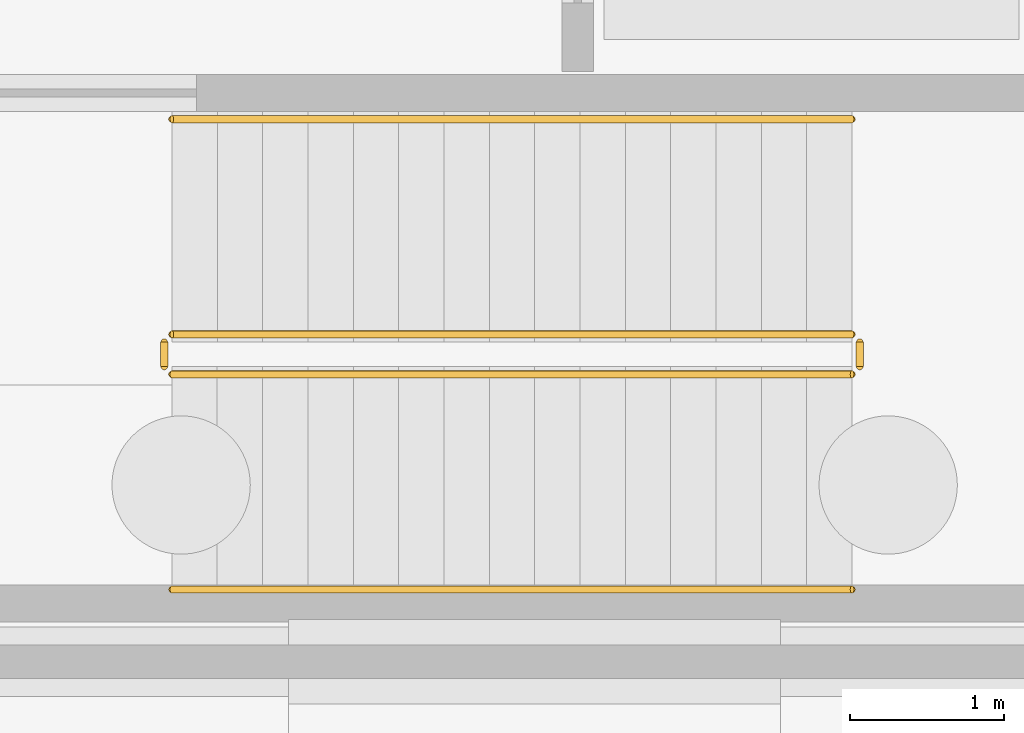
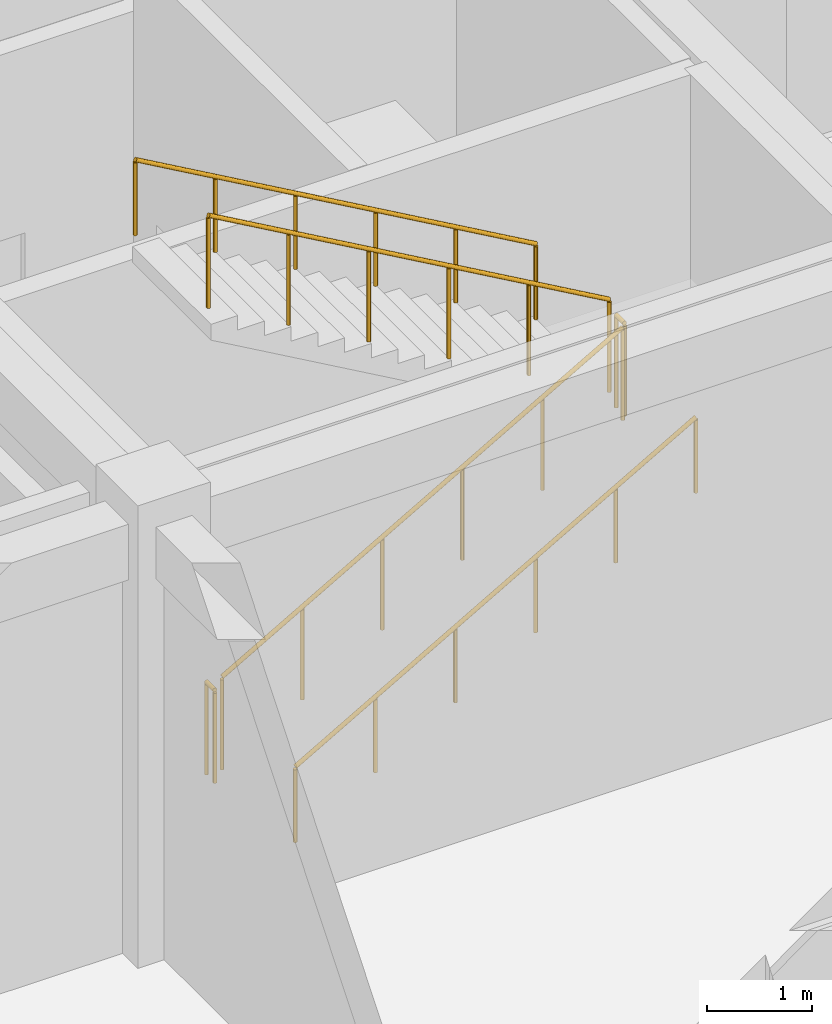
# One storey, part 54 of 65: 6 railings.
"""IFC4 building model written with IfcOpenShell, lengths in metres."""

from ifc_helpers import new_model, si_unit, direction, frame, origin, origin_2d, place, context, subcontext, project, spatial, circle, extrude, material, type_object, element, save


model = new_model("IFC4")

# Units and contexts
model_context = context("Model", 3, precision=1e-05, world=origin(), true_north=direction((0.0, 1.0)))
body_context = subcontext(model_context, "Body", "Model", "MODEL_VIEW")
ifc_project = project(units=[si_unit("LENGTHUNIT", "METRE"), si_unit("AREAUNIT", "SQUARE_METRE"), si_unit("VOLUMEUNIT", "CUBIC_METRE"), si_unit("PLANEANGLEUNIT", "RADIAN"), si_unit("MASSUNIT", "GRAM", prefix="KILO")], contexts=[model_context])

# Site, building, storey
site_placement = place(None, origin())
site = spatial("IfcSite", under=ifc_project, at=site_placement, CompositionType="ELEMENT")
building_placement = place(site_placement, origin())
building = spatial("IfcBuilding", under=site, at=building_placement, Name="Bramfleet General Hospital", CompositionType="ELEMENT")
storey_placement = place(building_placement, frame((0.0, 0.0, -5.39990234375)))
storey = spatial("IfcBuildingStorey", under=building, at=storey_placement, Name="B1", CompositionType="ELEMENT", Elevation=-5.39990234375)

# Railings
ifc_material_1 = material(Name="Powder-coated steel stair balustrade", Category="steel")
railing_type_1 = type_object("IfcRailingType", Name="RAIL-ST-GUARD", PredefinedType="GUARDRAIL", material=ifc_material_1)
railing_1_placement = place(storey_placement, frame((18.639892578125, 52.27001953125, 0.168701171875)))
element("IfcRailing", 1, at=railing_1_placement, inside=storey, type_object=railing_type_1, Name="B1 ST-C2 stair guard 1", PredefinedType="GUARDRAIL", context=body_context, shape_type="SweptSolid", body=[
    extrude(circle(Radius=0.02392578125, at=origin_2d()), frame((0.0, 0.0, 1.076171875), z_axis=(0.868019072493, 0.0, 0.49653085482), x_axis=(0.0, 1.0, 0.0)), (0.0, 0.0, 1.0), 5.097900390625),
    extrude(circle(Radius=0.02099609375, at=origin_2d()), origin(), (0.0, 0.0, 1.0), 1.052001953125),
    extrude(circle(Radius=0.02099609375, at=origin_2d()), frame((0.885009765625, 0.0, 0.50634765625)), (0.0, 0.0, 1.0), 1.052001953125),
    extrude(circle(Radius=0.02099609375, at=origin_2d()), frame((1.77001953125, 0.0, 1.012451171875)), (0.0, 0.0, 1.0), 1.052001953125),
    extrude(circle(Radius=0.02099609375, at=origin_2d()), frame((2.655029296875, 0.0, 1.518798828125)), (0.0, 0.0, 1.0), 1.052001953125),
    extrude(circle(Radius=0.02099609375, at=origin_2d()), frame((3.5400390625, 0.0, 2.02490234375)), (0.0, 0.0, 1.0), 1.052001953125),
    extrude(circle(Radius=0.02099609375, at=origin_2d()), frame((4.425048828125, 0.0, 2.53125)), (0.0, 0.0, 1.0), 1.052001953125),
])
railing_2_placement = place(storey_placement, frame((23.114990234375, 52.320068359375, 2.699951171875)))
element("IfcRailing", 2, at=railing_2_placement, inside=storey, type_object=railing_type_1, Name="B1 ST-C2 stair guard 2", PredefinedType="GUARDRAIL", context=body_context, shape_type="SweptSolid", body=[
    extrude(circle(Radius=0.02392578125, at=origin_2d()), frame((0.0, 0.0, 1.076171875), z_axis=(0.0, 1.0, 0.0), x_axis=(-1.0, 0.0, 0.0)), (0.0, 0.0, 1.0), 0.159912109375),
    extrude(circle(Radius=0.02099609375, at=origin_2d()), origin(), (0.0, 0.0, 1.0), 1.052001953125),
    extrude(circle(Radius=0.02099609375, at=origin_2d()), frame((0.0, 0.159912109375, 0.0)), (0.0, 0.0, 1.0), 1.052001953125),
])
railing_3_placement = place(storey_placement, frame((23.06494140625, 52.530029296875, 2.86865234375)))
element("IfcRailing", 3, at=railing_3_placement, inside=storey, type_object=railing_type_1, Name="B1 ST-C2 stair guard 3", PredefinedType="GUARDRAIL", context=body_context, shape_type="SweptSolid", body=[
    extrude(circle(Radius=0.02392578125, at=origin_2d()), frame((0.0, 0.0, 1.076171875), z_axis=(-0.868019072493, 0.0, 0.49653085482), x_axis=(0.0, -1.0, 0.0)), (0.0, 0.0, 1.0), 5.097900390625),
    extrude(circle(Radius=0.02099609375, at=origin_2d()), origin(), (0.0, 0.0, 1.0), 1.052001953125),
    extrude(circle(Radius=0.02099609375, at=origin_2d()), frame((-0.885009765625, 0.0, 0.50634765625)), (0.0, 0.0, 1.0), 1.052001953125),
    extrude(circle(Radius=0.02099609375, at=origin_2d()), frame((-1.77001953125, 0.0, 1.012451171875)), (0.0, 0.0, 1.0), 1.052001953125),
    extrude(circle(Radius=0.02099609375, at=origin_2d()), frame((-2.655029296875, 0.0, 1.518798828125)), (0.0, 0.0, 1.0), 1.052001953125),
    extrude(circle(Radius=0.02099609375, at=origin_2d()), frame((-3.5400390625, 0.0, 2.02490234375)), (0.0, 0.0, 1.0), 1.052001953125),
    extrude(circle(Radius=0.02099609375, at=origin_2d()), frame((-4.425048828125, 0.0, 2.53125)), (0.0, 0.0, 1.0), 1.052001953125),
])
railing_4_placement = place(storey_placement, frame((18.590087890625, 52.320068359375, 0.0)))
element("IfcRailing", 4, at=railing_4_placement, inside=storey, type_object=railing_type_1, Name="B1 ST-C2 stair guard 4", PredefinedType="GUARDRAIL", context=body_context, shape_type="SweptSolid", body=[
    extrude(circle(Radius=0.02392578125, at=origin_2d()), frame((0.0, 0.0, 1.076171875), z_axis=(0.0, 1.0, 0.0), x_axis=(-1.0, 0.0, 0.0)), (0.0, 0.0, 1.0), 0.159912109375),
    extrude(circle(Radius=0.02099609375, at=origin_2d()), origin(), (0.0, 0.0, 1.0), 1.052001953125),
    extrude(circle(Radius=0.02099609375, at=origin_2d()), frame((0.0, 0.159912109375, 0.0)), (0.0, 0.0, 1.0), 1.052001953125),
])
ifc_material_2 = material(Name="Stainless steel 1.4301 stair handrail", Category="steel")
railing_type_2 = type_object("IfcRailingType", Name="RAIL-ST-HND", PredefinedType="HANDRAIL", material=ifc_material_2)
railing_5_placement = place(storey_placement, frame((18.639892578125, 50.8701171875, 0.168701171875)))
element("IfcRailing", 5, at=railing_5_placement, inside=storey, type_object=railing_type_2, Name="B1 ST-C2 stair handrail 1", PredefinedType="HANDRAIL", context=body_context, shape_type="SweptSolid", body=[
    extrude(circle(Radius=0.02392578125, at=origin_2d()), frame((0.0, 0.0, 0.8759765625), z_axis=(0.868019072493, 0.0, 0.49653085482), x_axis=(0.0, 1.0, 0.0)), (0.0, 0.0, 1.0), 5.097900390625),
    extrude(circle(Radius=0.02099609375, at=origin_2d()), origin(), (0.0, 0.0, 1.0), 0.851806640625),
    extrude(circle(Radius=0.02099609375, at=origin_2d()), frame((0.885009765625, 0.0, 0.50634765625)), (0.0, 0.0, 1.0), 0.851806640625),
    extrude(circle(Radius=0.02099609375, at=origin_2d()), frame((1.77001953125, 0.0, 1.012451171875)), (0.0, 0.0, 1.0), 0.851806640625),
    extrude(circle(Radius=0.02099609375, at=origin_2d()), frame((2.655029296875, 0.0, 1.518798828125)), (0.0, 0.0, 1.0), 0.851806640625),
    extrude(circle(Radius=0.02099609375, at=origin_2d()), frame((3.5400390625, 0.0, 2.02490234375)), (0.0, 0.0, 1.0), 0.851806640625),
    extrude(circle(Radius=0.02099609375, at=origin_2d()), frame((4.425048828125, 0.0, 2.53125)), (0.0, 0.0, 1.0), 0.851806640625),
])
railing_6_placement = place(storey_placement, frame((23.06494140625, 53.929931640625, 2.86865234375)))
element("IfcRailing", 6, at=railing_6_placement, inside=storey, type_object=railing_type_2, Name="B1 ST-C2 stair handrail 2", PredefinedType="HANDRAIL", context=body_context, shape_type="SweptSolid", body=[
    extrude(circle(Radius=0.02392578125, at=origin_2d()), frame((0.0, 0.0, 0.8759765625), z_axis=(-0.868019072493, 0.0, 0.49653085482), x_axis=(0.0, -1.0, 0.0)), (0.0, 0.0, 1.0), 5.097900390625),
    extrude(circle(Radius=0.02099609375, at=origin_2d()), origin(), (0.0, 0.0, 1.0), 0.851806640625),
    extrude(circle(Radius=0.02099609375, at=origin_2d()), frame((-0.885009765625, 0.0, 0.50634765625)), (0.0, 0.0, 1.0), 0.851806640625),
    extrude(circle(Radius=0.02099609375, at=origin_2d()), frame((-1.77001953125, 0.0, 1.012451171875)), (0.0, 0.0, 1.0), 0.851806640625),
    extrude(circle(Radius=0.02099609375, at=origin_2d()), frame((-2.655029296875, 0.0, 1.518798828125)), (0.0, 0.0, 1.0), 0.851806640625),
    extrude(circle(Radius=0.02099609375, at=origin_2d()), frame((-3.5400390625, 0.0, 2.02490234375)), (0.0, 0.0, 1.0), 0.851806640625),
    extrude(circle(Radius=0.02099609375, at=origin_2d()), frame((-4.425048828125, 0.0, 2.53125)), (0.0, 0.0, 1.0), 0.851806640625),
])

save(model, "model.ifc")
